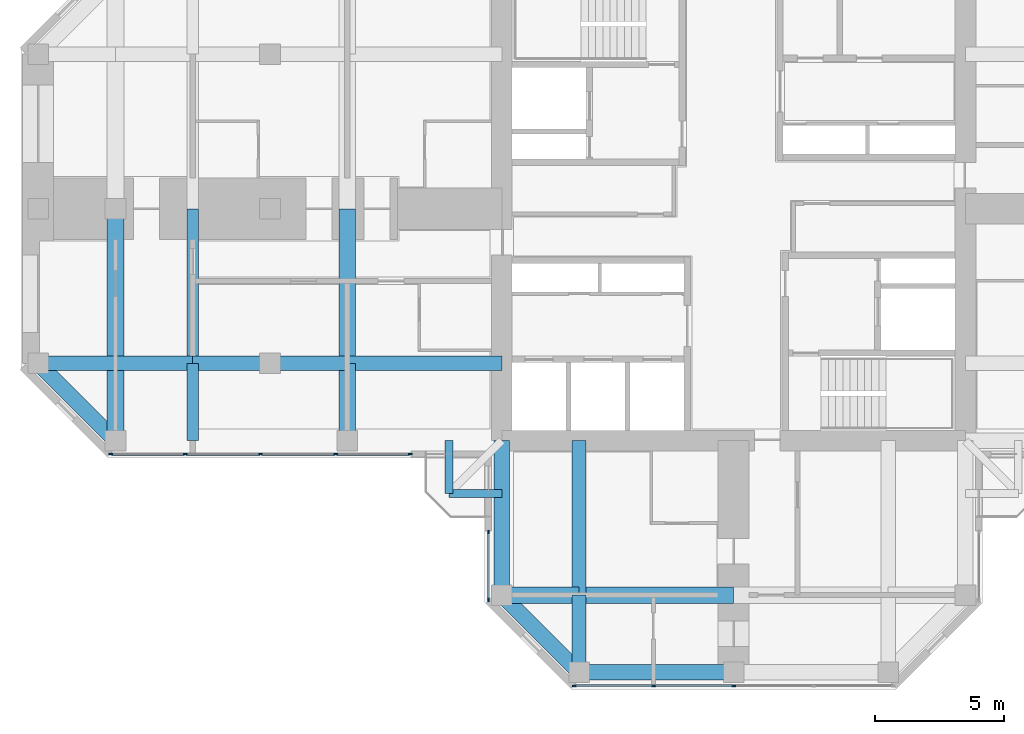
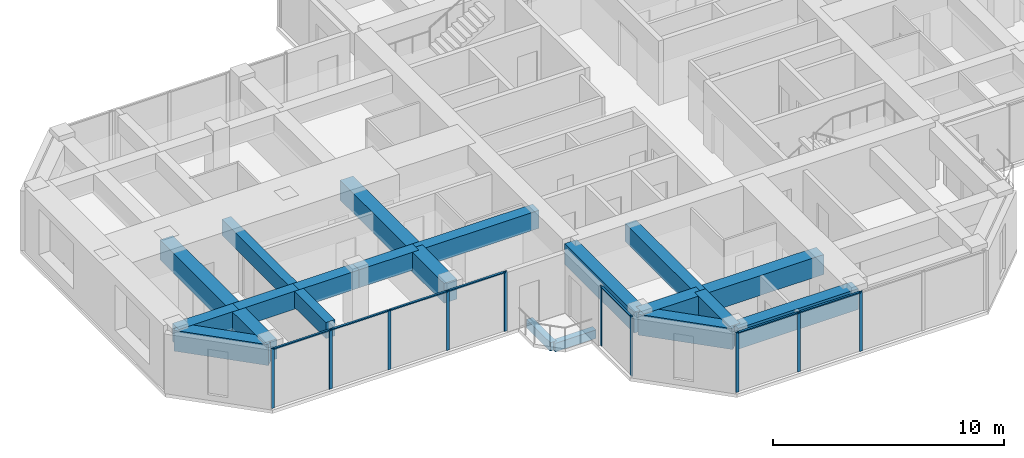
# One storey, part 2 of 13: 21 beams, 17 members, 3 elements without a shape of their own.
"""IFC4 building model written with IfcOpenShell, lengths in metres."""

from ifc_helpers import new_model, si_unit, direction, frame, origin, origin_2d, place, context, subcontext, project, spatial, rectangle, extrude, material, material_profile, profile_set, type_object, element, aggregate, save


model = new_model("IFC4")

# Units and contexts
model_context = context("Model", 3, precision=1e-05, world=origin(), true_north=direction((0.0, 1.0)))
body_context = subcontext(model_context, "Body", "Model", "MODEL_VIEW")
ifc_project = project(units=[si_unit("LENGTHUNIT", "METRE"), si_unit("AREAUNIT", "SQUARE_METRE"), si_unit("VOLUMEUNIT", "CUBIC_METRE"), si_unit("PLANEANGLEUNIT", "RADIAN"), si_unit("MASSUNIT", "GRAM", prefix="KILO")], contexts=[model_context])

# Site, building, storey
site_placement = place(None, origin())
site = spatial("IfcSite", under=ifc_project, at=site_placement, CompositionType="ELEMENT")
building_placement = place(site_placement, origin())
building = spatial("IfcBuilding", under=site, at=building_placement, Name="Torre Cruceta", CompositionType="ELEMENT")
storey_placement = place(building_placement, frame((0.0, 0.0, 249.300048828125)))
storey = spatial("IfcBuildingStorey", under=building, at=storey_placement, Name="L64", CompositionType="ELEMENT", Elevation=249.300048828125)

# Beams
ifc_material_1 = material(Name="Concrete G60 (fck 60 MPa)", Category="concrete")
ifc_material_profile_1 = material_profile(ifc_material_1, rectangle(XDim=0.300048828125, YDim=0.449951171875, at=origin_2d()), Name="RC 300X450")
ifc_profile_set_1 = profile_set([ifc_material_profile_1], Name="Concrete G60 (fck 60 MPa)")
beam_type_1 = type_object("IfcBeamType", Name="BALCONY CANTILEVER BEAM RC 300X450", PredefinedType="BEAM", material=ifc_profile_set_1)
for number, where, z_axis, x_axis, name in (
    (1, (-11.050537109375, -9.0, -0.405029296875), (0.0, -1.0, 0.0), (1.0, 0.0, 0.0), "BB1 balcony edge beam L64 W-X"),
    (2, (-9.0, -11.050537109375, -0.405029296875), (-1.0, 0.0, 0.0), (0.0, -1.0, 0.0), "BB1 balcony edge beam L64 W-Y"),
):
    element("IfcBeam", number, at=place(storey_placement, frame(where, z_axis=z_axis, x_axis=x_axis)), inside=storey, type_object=beam_type_1, Name=name, PredefinedType="BEAM", context=body_context, shape_type="SweptSolid", body=[
        extrude(rectangle(XDim=0.300048828125, YDim=0.449951171875, at=origin_2d()), origin(), (0.0, 0.0, 1.0), 2.050537109375),
    ])
ifc_material_2 = material(Name="Concrete G60 (fck 60 MPa)", Category="concrete")
ifc_material_profile_2 = material_profile(ifc_material_2, rectangle(XDim=0.550048828125, YDim=0.949951171875, at=origin_2d()), Name="RC 550X950")
ifc_profile_set_2 = profile_set([ifc_material_profile_2], Name="Concrete G60 (fck 60 MPa)")
beam_type_2 = type_object("IfcBeamType", Name="COLUMN LINE BEAM RC 550X950", PredefinedType="BEAM", material=ifc_profile_set_2)
beam_1_placement = place(storey_placement, frame((-6.0, -9.0, 2.675048828125), z_axis=(0.0, -1.0, 0.0), x_axis=(1.0, 0.0, 0.0)))
element("IfcBeam", 3, at=beam_1_placement, inside=storey, type_object=beam_type_2, Name="LB3 L64 S col- 1", PredefinedType="BEAM", context=body_context, shape_type="SweptSolid", body=[
    extrude(rectangle(XDim=0.550048828125, YDim=0.949951171875, at=origin_2d()), origin(), (0.0, 0.0, 1.0), 6.0),
])
beam_2_placement = place(storey_placement, frame((-6.0, -15.0, 2.675048828125), z_axis=(0.0, -1.0, 0.0), x_axis=(1.0, 0.0, 0.0)))
element("IfcBeam", 4, at=beam_2_placement, inside=storey, type_object=beam_type_2, Name="LB3 L64 S col- 2", PredefinedType="BEAM", context=body_context, shape_type="SweptSolid", body=[
    extrude(rectangle(XDim=0.550048828125, YDim=0.949951171875, at=origin_2d()), origin(), (0.0, 0.0, 1.0), 3.0),
])
beam_3_placement = place(storey_placement, frame((-9.0, -6.0, 2.675048828125), z_axis=(-1.0, 0.0, 0.0), x_axis=(0.0, -1.0, 0.0)))
element("IfcBeam", 5, at=beam_3_placement, inside=storey, type_object=beam_type_2, Name="LB3 L64 W col+ 1", PredefinedType="BEAM", context=body_context, shape_type="SweptSolid", body=[
    extrude(rectangle(XDim=0.550048828125, YDim=0.949951171875, at=origin_2d()), origin(), (0.0, 0.0, 1.0), 6.0),
])
for number, where, z_axis, x_axis, name in (
    (6, (-15.0, -6.0, 2.675048828125), (-1.0, 0.0, 0.0), (0.0, -1.0, 0.0), "LB3 L64 W col+ 2"),
    (7, (-18.0, -6.0, 2.675048828125), (-1.0, 0.0, 0.0), (0.0, -1.0, 0.0), "LB3 L64 W col+ 3"),
    (8, (-21.0, -6.0, 2.675048828125), (-1.0, 0.0, 0.0), (0.0, -1.0, 0.0), "LB3 L64 W col+ 4"),
    (9, (-24.0, -6.0, 2.675048828125), (-1.0, 0.0, 0.0), (0.0, -1.0, 0.0), "LB3 L64 W col+ 5"),
):
    element("IfcBeam", number, at=place(storey_placement, frame(where, z_axis=z_axis, x_axis=x_axis)), inside=storey, type_object=beam_type_2, Name=name, PredefinedType="BEAM", context=body_context, shape_type="SweptSolid", body=[
        extrude(rectangle(XDim=0.550048828125, YDim=0.949951171875, at=origin_2d()), origin(), (0.0, 0.0, 1.0), 3.0),
    ])
ifc_material_3 = material(Name="Concrete G60 (fck 60 MPa)", Category="concrete")
ifc_material_profile_3 = material_profile(ifc_material_3, rectangle(XDim=0.64990234375, YDim=1.050048828125, at=origin_2d()), Name="RC 650X1050")
ifc_profile_set_3 = profile_set([ifc_material_profile_3], Name="Concrete G60 (fck 60 MPa)")
beam_type_3 = type_object("IfcBeamType", Name="CROSS BEAM RC 650X1050", PredefinedType="BEAM", material=ifc_profile_set_3)
beam_4_placement = place(storey_placement, frame((-9.0, -15.0, 2.625), z_axis=(1.0, 0.0, 0.0), x_axis=(0.0, 1.0, 0.0)))
element("IfcBeam", 10, at=beam_4_placement, inside=storey, type_object=beam_type_3, Name="GB3 L64 S cross15 1", PredefinedType="BEAM", context=body_context, shape_type="SweptSolid", body=[
    extrude(rectangle(XDim=0.64990234375, YDim=1.050048828125, at=origin_2d()), origin(), (0.0, 0.0, 1.0), 3.0),
])
for number, where, z_axis, x_axis, name in (
    (11, (-6.0, -15.0, 2.625), (1.0, 0.0, 0.0), (0.0, 1.0, 0.0), "GB3 L64 S cross15 2"),
    (12, (-15.0, 0.0, 2.625), (0.0, -1.0, 0.0), (1.0, 0.0, 0.0), "GB3 L64 W cross15 3"),
):
    element("IfcBeam", number, at=place(storey_placement, frame(where, z_axis=z_axis, x_axis=x_axis)), inside=storey, type_object=beam_type_3, Name=name, PredefinedType="BEAM", context=body_context, shape_type="SweptSolid", body=[
        extrude(rectangle(XDim=0.64990234375, YDim=1.050048828125, at=origin_2d()), origin(), (0.0, 0.0, 1.0), 6.0),
    ])
beam_5_placement = place(storey_placement, frame((-15.0, -6.0, 2.625), z_axis=(0.0, -1.0, 0.0), x_axis=(1.0, 0.0, 0.0)))
element("IfcBeam", 13, at=beam_5_placement, inside=storey, type_object=beam_type_3, Name="GB3 L64 W cross15 4", PredefinedType="BEAM", context=body_context, shape_type="SweptSolid", body=[
    extrude(rectangle(XDim=0.64990234375, YDim=1.050048828125, at=origin_2d()), origin(), (0.0, 0.0, 1.0), 3.0),
])
beam_6_placement = place(storey_placement, frame((-24.0, 0.0, 2.625), z_axis=(0.0, -1.0, 0.0), x_axis=(1.0, 0.0, 0.0)))
element("IfcBeam", 14, at=beam_6_placement, inside=storey, type_object=beam_type_3, Name="GB3 L64 W cross24 3", PredefinedType="BEAM", context=body_context, shape_type="SweptSolid", body=[
    extrude(rectangle(XDim=0.64990234375, YDim=1.050048828125, at=origin_2d()), origin(), (0.0, 0.0, 1.0), 6.0),
])
beam_7_placement = place(storey_placement, frame((-24.0, -6.0, 2.625), z_axis=(0.0, -1.0, 0.0), x_axis=(1.0, 0.0, 0.0)))
element("IfcBeam", 15, at=beam_7_placement, inside=storey, type_object=beam_type_3, Name="GB3 L64 W cross24 4", PredefinedType="BEAM", context=body_context, shape_type="SweptSolid", body=[
    extrude(rectangle(XDim=0.64990234375, YDim=1.050048828125, at=origin_2d()), origin(), (0.0, 0.0, 1.0), 3.0),
])

# Curtain wall, members
ifc_material_4 = material(Name="Aluminium unitised curtain wall", Category="aluminium")
curtain_wall_type = type_object("IfcCurtainWallType", Name="CURTAIN WALL CW-D CO-LIVING UPPER", PredefinedType="USERDEFINED", material=ifc_material_4)
curtain_wall_1_placement = place(storey_placement, origin())
curtain_wall_1 = element("IfcCurtainWall", 16, at=curtain_wall_1_placement, inside=storey, type_object=curtain_wall_type, Name="CW-D L64 W side 14", ObjectType="UNITISED", PredefinedType="USERDEFINED")
ifc_material_5 = material(Name="Aluminium mullion", Category="aluminium")
ifc_material_profile_4 = material_profile(ifc_material_5, rectangle(XDim=0.06005859375, YDim=0.14990234375, at=origin_2d()), Name="AL 60X150")
ifc_profile_set_4 = profile_set([ifc_material_profile_4], Name="Aluminium mullion")
member_type_1 = type_object("IfcMemberType", Name="CW-D MULLION 60X150", PredefinedType="MULLION", material=ifc_profile_set_4)
member_1_placement = place(storey_placement, frame((-24.185302734375, -9.52001953125, 0.0), z_axis=(0.0, 0.0, 1.0), x_axis=(0.0, 1.0, 0.0)))
member_1 = element("IfcMember", 17, at=member_1_placement, type_object=member_type_1, Name="CW-D mullion 1", PredefinedType="MULLION", context=body_context, shape_type="SweptSolid", body=[
    extrude(rectangle(XDim=0.06005859375, YDim=0.14990234375, at=origin_2d()), origin(), (0.0, 0.0, 1.0), 3.14990234375),
])
member_2_placement = place(storey_placement, frame((-21.29150390625, -9.52001953125, 0.0), z_axis=(0.0, 0.0, 1.0), x_axis=(0.0, 1.0, 0.0)))
member_2 = element("IfcMember", 18, at=member_2_placement, type_object=member_type_1, Name="CW-D mullion 2", PredefinedType="MULLION", context=body_context, shape_type="SweptSolid", body=[
    extrude(rectangle(XDim=0.06005859375, YDim=0.14990234375, at=origin_2d()), origin(), (0.0, 0.0, 1.0), 3.14990234375),
])
member_3_placement = place(storey_placement, frame((-18.36767578125, -9.52001953125, 0.0), z_axis=(0.0, 0.0, 1.0), x_axis=(0.0, 1.0, 0.0)))
member_3 = element("IfcMember", 19, at=member_3_placement, type_object=member_type_1, Name="CW-D mullion 3", PredefinedType="MULLION", context=body_context, shape_type="SweptSolid", body=[
    extrude(rectangle(XDim=0.06005859375, YDim=0.14990234375, at=origin_2d()), origin(), (0.0, 0.0, 1.0), 3.14990234375),
])
member_4_placement = place(storey_placement, frame((-15.44384765625, -9.52001953125, 0.0), z_axis=(0.0, 0.0, 1.0), x_axis=(0.0, 1.0, 0.0)))
member_4 = element("IfcMember", 20, at=member_4_placement, type_object=member_type_1, Name="CW-D mullion 4", PredefinedType="MULLION", context=body_context, shape_type="SweptSolid", body=[
    extrude(rectangle(XDim=0.06005859375, YDim=0.14990234375, at=origin_2d()), origin(), (0.0, 0.0, 1.0), 3.14990234375),
])
member_5_placement = place(storey_placement, frame((-12.550048828125, -9.52001953125, 0.0), z_axis=(0.0, 0.0, 1.0), x_axis=(0.0, 1.0, 0.0)))
member_5 = element("IfcMember", 21, at=member_5_placement, type_object=member_type_1, Name="CW-D mullion 5", PredefinedType="MULLION", context=body_context, shape_type="SweptSolid", body=[
    extrude(rectangle(XDim=0.06005859375, YDim=0.14990234375, at=origin_2d()), origin(), (0.0, 0.0, 1.0), 3.14990234375),
])

curtain_wall_2_placement = place(storey_placement, origin())
curtain_wall_2 = element("IfcCurtainWall", 22, at=curtain_wall_2_placement, inside=storey, type_object=curtain_wall_type, Name="CW-D L64 S side 15", ObjectType="UNITISED", PredefinedType="USERDEFINED")
member_6_placement = place(storey_placement, frame((-9.52001953125, -12.550048828125, 0.0), z_axis=(0.0, 0.0, 1.0), x_axis=(1.0, 0.0, 0.0)))
member_6 = element("IfcMember", 23, at=member_6_placement, type_object=member_type_1, Name="CW-D mullion 1", PredefinedType="MULLION", context=body_context, shape_type="SweptSolid", body=[
    extrude(rectangle(XDim=0.06005859375, YDim=0.14990234375, at=origin_2d()), origin(), (0.0, 0.0, 1.0), 3.14990234375),
])
member_7_placement = place(storey_placement, frame((-9.52001953125, -15.185302734375, 0.0), z_axis=(0.0, 0.0, 1.0), x_axis=(1.0, 0.0, 0.0)))
member_7 = element("IfcMember", 24, at=member_7_placement, type_object=member_type_1, Name="CW-D mullion 2", PredefinedType="MULLION", context=body_context, shape_type="SweptSolid", body=[
    extrude(rectangle(XDim=0.06005859375, YDim=0.14990234375, at=origin_2d()), origin(), (0.0, 0.0, 1.0), 3.14990234375),
])

curtain_wall_3_placement = place(storey_placement, origin())
curtain_wall_3 = element("IfcCurtainWall", 25, at=curtain_wall_3_placement, inside=storey, type_object=curtain_wall_type, Name="CW-D L64 S tip 17", ObjectType="UNITISED", PredefinedType="USERDEFINED")
member_8_placement = place(storey_placement, frame((-6.185302734375, -18.52001953125, 0.0), z_axis=(0.0, 0.0, 1.0), x_axis=(0.0, 1.0, 0.0)))
member_8 = element("IfcMember", 26, at=member_8_placement, type_object=member_type_1, Name="CW-D mullion 1", PredefinedType="MULLION", context=body_context, shape_type="SweptSolid", body=[
    extrude(rectangle(XDim=0.06005859375, YDim=0.14990234375, at=origin_2d()), origin(), (0.0, 0.0, 1.0), 3.14990234375),
])
member_9_placement = place(storey_placement, frame((-3.107666015625, -18.52001953125, 0.0), z_axis=(0.0, 0.0, 1.0), x_axis=(0.0, 1.0, 0.0)))
member_9 = element("IfcMember", 27, at=member_9_placement, type_object=member_type_1, Name="CW-D mullion 2", PredefinedType="MULLION", context=body_context, shape_type="SweptSolid", body=[
    extrude(rectangle(XDim=0.06005859375, YDim=0.14990234375, at=origin_2d()), origin(), (0.0, 0.0, 1.0), 3.14990234375),
])
member_10_placement = place(storey_placement, frame((0.0, -18.52001953125, 0.0), z_axis=(0.0, 0.0, 1.0), x_axis=(0.0, 1.0, 0.0)))
member_10 = element("IfcMember", 28, at=member_10_placement, type_object=member_type_1, Name="CW-D mullion 3", PredefinedType="MULLION", context=body_context, shape_type="SweptSolid", body=[
    extrude(rectangle(XDim=0.06005859375, YDim=0.14990234375, at=origin_2d()), origin(), (0.0, 0.0, 1.0), 3.14990234375),
])

# Member
ifc_material_6 = material(Name="Aluminium transom", Category="aluminium")
ifc_material_profile_5 = material_profile(ifc_material_6, rectangle(XDim=0.10009765625, YDim=0.06005859375, at=origin_2d()), Name="AL 100X60")
ifc_profile_set_5 = profile_set([ifc_material_profile_5], Name="Aluminium transom")
member_type_2 = type_object("IfcMemberType", Name="CW-D TRANSOM 60X100", PredefinedType="USERDEFINED", material=ifc_profile_set_5)
member_11_placement = place(storey_placement, frame((-24.1552734375, -9.52001953125, 3.119873046875), z_axis=(1.0, 0.0, 0.0), x_axis=(0.0, 1.0, 0.0)))
member_11 = element("IfcMember", 29, at=member_11_placement, type_object=member_type_2, Name="CW-D transom 1", ObjectType="TRANSOM", PredefinedType="USERDEFINED", context=body_context, shape_type="SweptSolid", body=[
    extrude(rectangle(XDim=0.10009765625, YDim=0.06005859375, at=origin_2d()), origin(), (0.0, 0.0, 1.0), 2.833740234375),
])

member_12_placement = place(storey_placement, frame((-21.261474609375, -9.52001953125, 3.119873046875), z_axis=(1.0, 0.0, 0.0), x_axis=(0.0, 1.0, 0.0)))
member_12 = element("IfcMember", 30, at=member_12_placement, type_object=member_type_2, Name="CW-D transom 2", ObjectType="TRANSOM", PredefinedType="USERDEFINED", context=body_context, shape_type="SweptSolid", body=[
    extrude(rectangle(XDim=0.10009765625, YDim=0.06005859375, at=origin_2d()), origin(), (0.0, 0.0, 1.0), 2.86376953125),
])

member_13_placement = place(storey_placement, frame((-18.337646484375, -9.52001953125, 3.119873046875), z_axis=(1.0, 0.0, 0.0), x_axis=(0.0, 1.0, 0.0)))
member_13 = element("IfcMember", 31, at=member_13_placement, type_object=member_type_2, Name="CW-D transom 3", ObjectType="TRANSOM", PredefinedType="USERDEFINED", context=body_context, shape_type="SweptSolid", body=[
    extrude(rectangle(XDim=0.10009765625, YDim=0.06005859375, at=origin_2d()), origin(), (0.0, 0.0, 1.0), 2.86376953125),
])

member_14_placement = place(storey_placement, frame((-15.413818359375, -9.52001953125, 3.119873046875), z_axis=(1.0, 0.0, 0.0), x_axis=(0.0, 1.0, 0.0)))
member_14 = element("IfcMember", 32, at=member_14_placement, type_object=member_type_2, Name="CW-D transom 4", ObjectType="TRANSOM", PredefinedType="USERDEFINED", context=body_context, shape_type="SweptSolid", body=[
    extrude(rectangle(XDim=0.10009765625, YDim=0.06005859375, at=origin_2d()), origin(), (0.0, 0.0, 1.0), 2.833740234375),
])

aggregate(curtain_wall_1, [member_1, member_2, member_3, member_4, member_5, member_11, member_12, member_13, member_14])

member_15_placement = place(storey_placement, frame((-9.52001953125, -12.580078125, 3.119873046875), z_axis=(0.0, -1.0, 0.0), x_axis=(1.0, 0.0, 0.0)))
member_15 = element("IfcMember", 33, at=member_15_placement, type_object=member_type_2, Name="CW-D transom 1", ObjectType="TRANSOM", PredefinedType="USERDEFINED", context=body_context, shape_type="SweptSolid", body=[
    extrude(rectangle(XDim=0.10009765625, YDim=0.06005859375, at=origin_2d()), origin(), (0.0, 0.0, 1.0), 2.5751953125),
])

aggregate(curtain_wall_2, [member_6, member_7, member_15])

member_16_placement = place(storey_placement, frame((-6.1552734375, -18.52001953125, 3.119873046875), z_axis=(1.0, 0.0, 0.0), x_axis=(0.0, 1.0, 0.0)))
member_16 = element("IfcMember", 34, at=member_16_placement, type_object=member_type_2, Name="CW-D transom 1", ObjectType="TRANSOM", PredefinedType="USERDEFINED", context=body_context, shape_type="SweptSolid", body=[
    extrude(rectangle(XDim=0.10009765625, YDim=0.06005859375, at=origin_2d()), origin(), (0.0, 0.0, 1.0), 3.017578125),
])

member_17_placement = place(storey_placement, frame((-3.07763671875, -18.52001953125, 3.119873046875), z_axis=(1.0, 0.0, 0.0), x_axis=(0.0, 1.0, 0.0)))
member_17 = element("IfcMember", 35, at=member_17_placement, type_object=member_type_2, Name="CW-D transom 2", ObjectType="TRANSOM", PredefinedType="USERDEFINED", context=body_context, shape_type="SweptSolid", body=[
    extrude(rectangle(XDim=0.10009765625, YDim=0.06005859375, at=origin_2d()), origin(), (0.0, 0.0, 1.0), 3.047607421875),
])

aggregate(curtain_wall_3, [member_8, member_9, member_10, member_16, member_17])

# Beams
ifc_material_7 = material(Name="Concrete G60 (fck 60 MPa)", Category="concrete")
ifc_material_profile_6 = material_profile(ifc_material_7, rectangle(XDim=0.449951171875, YDim=0.85009765625, at=origin_2d()), Name="RC 450X850")
ifc_profile_set_6 = profile_set([ifc_material_profile_6], Name="Concrete G60 (fck 60 MPa)")
beam_type_4 = type_object("IfcBeamType", Name="SECONDARY BEAM RC 450X850", PredefinedType="JOIST", material=ifc_profile_set_6)
beam_8_placement = place(storey_placement, frame((-21.0, 0.0, 2.724853515625), z_axis=(0.0, -1.0, 0.0), x_axis=(1.0, 0.0, 0.0)))
element("IfcBeam", 36, at=beam_8_placement, inside=storey, type_object=beam_type_4, Name="JB4 L64 W sec21 3", PredefinedType="JOIST", context=body_context, shape_type="SweptSolid", body=[
    extrude(rectangle(XDim=0.449951171875, YDim=0.85009765625, at=origin_2d()), origin(), (0.0, 0.0, 1.0), 6.0),
])
beam_9_placement = place(storey_placement, frame((-21.0, -6.0, 2.724853515625), z_axis=(0.0, -1.0, 0.0), x_axis=(1.0, 0.0, 0.0)))
element("IfcBeam", 37, at=beam_9_placement, inside=storey, type_object=beam_type_4, Name="JB4 L64 W sec21 4", PredefinedType="JOIST", context=body_context, shape_type="SweptSolid", body=[
    extrude(rectangle(XDim=0.449951171875, YDim=0.85009765625, at=origin_2d()), origin(), (0.0, 0.0, 1.0), 3.0),
])
ifc_material_8 = material(Name="Concrete G60 (fck 60 MPa)", Category="concrete")
ifc_material_profile_7 = material_profile(ifc_material_8, rectangle(XDim=0.60009765625, YDim=1.10009765625, at=origin_2d()), Name="RC 600X1100")
ifc_profile_set_7 = profile_set([ifc_material_profile_7], Name="Concrete G60 (fck 60 MPa)")
beam_type_5 = type_object("IfcBeamType", Name="SPANDREL BEAM RC 600X1100", PredefinedType="SPANDREL", material=ifc_profile_set_7)
beam_10_placement = place(storey_placement, frame((-9.0, -9.0, 2.599853515625), z_axis=(0.0, -1.0, 0.0), x_axis=(1.0, 0.0, 0.0)))
element("IfcBeam", 38, at=beam_10_placement, inside=storey, type_object=beam_type_5, Name="SB2 L64 S side- 1", PredefinedType="SPANDREL", context=body_context, shape_type="SweptSolid", body=[
    extrude(rectangle(XDim=0.60009765625, YDim=1.10009765625, at=origin_2d()), origin(), (0.0, 0.0, 1.0), 6.0),
])
beam_11_placement = place(storey_placement, frame((-9.0, -15.0, 2.599853515625), z_axis=(0.707106781187, -0.707106781187, 0.0), x_axis=(0.707106781187, 0.707106781187, 0.0)))
element("IfcBeam", 39, at=beam_11_placement, inside=storey, type_object=beam_type_5, Name="SB2 L64 S side- 2", PredefinedType="SPANDREL", context=body_context, shape_type="SweptSolid", body=[
    extrude(rectangle(XDim=0.60009765625, YDim=1.10009765625, at=origin_2d()), origin(), (0.0, 0.0, 1.0), 4.24267578125),
])
beam_12_placement = place(storey_placement, frame((-6.0, -18.0, 2.599853515625), z_axis=(1.0, 0.0, 0.0), x_axis=(0.0, 1.0, 0.0)))
element("IfcBeam", 40, at=beam_12_placement, inside=storey, type_object=beam_type_5, Name="SB2 L64 S tip 1", PredefinedType="SPANDREL", context=body_context, shape_type="SweptSolid", body=[
    extrude(rectangle(XDim=0.60009765625, YDim=1.10009765625, at=origin_2d()), origin(), (0.0, 0.0, 1.0), 6.0),
])
beam_13_placement = place(storey_placement, frame((-24.0, -9.0, 2.599853515625), z_axis=(-0.707106781187, 0.707106781187, 0.0), x_axis=(-0.707106781187, -0.707106781187, 0.0)))
element("IfcBeam", 41, at=beam_13_placement, inside=storey, type_object=beam_type_5, Name="SB2 L64 W side+ 5", PredefinedType="SPANDREL", context=body_context, shape_type="SweptSolid", body=[
    extrude(rectangle(XDim=0.60009765625, YDim=1.10009765625, at=origin_2d()), origin(), (0.0, 0.0, 1.0), 4.24267578125),
])

save(model, "model.ifc")
